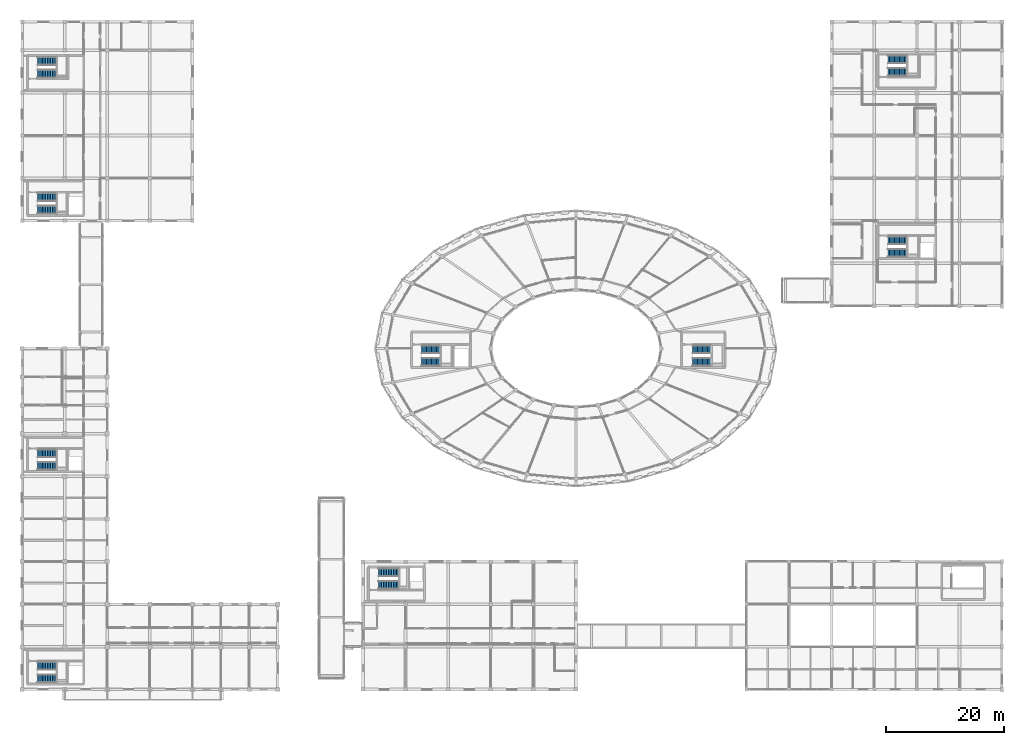
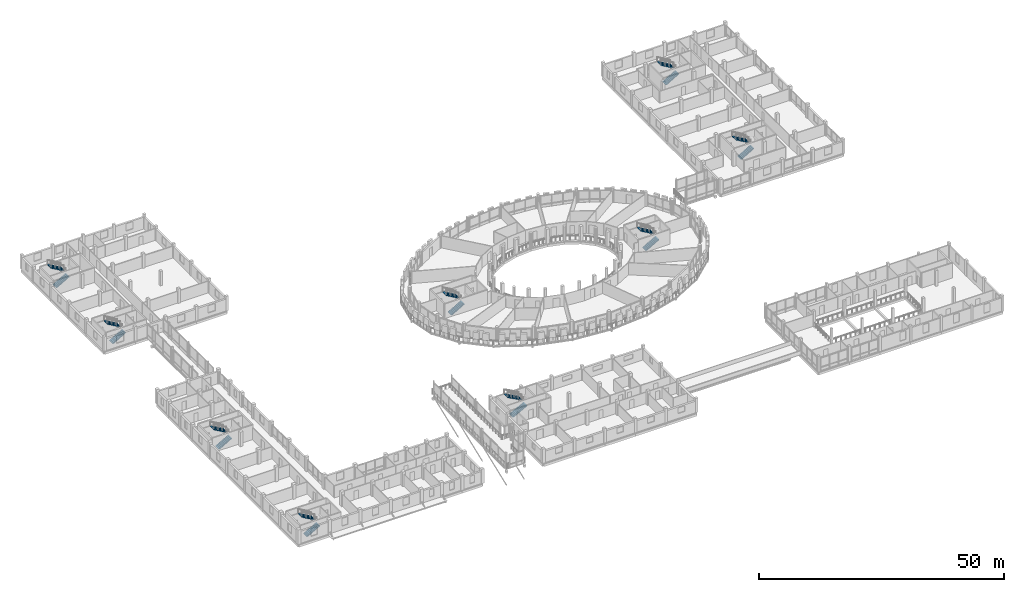
# One storey, part 120 of 128: 18 stair flights, 9 elements without a shape of their own.
"""IFC4 building model written with IfcOpenShell, lengths in metres."""

from ifc_helpers import new_model, si_unit, direction, frame, origin, place, context, subcontext, project, spatial, polyline, outline, extrude, material, type_object, element, aggregate, save


model = new_model("IFC4")

# Units and contexts
model_context = context("Model", 3, precision=1e-05, world=origin(), true_north=direction((0.0, 1.0)))
body_context = subcontext(model_context, "Body", "Model", "MODEL_VIEW")
ifc_project = project(units=[si_unit("LENGTHUNIT", "METRE"), si_unit("AREAUNIT", "SQUARE_METRE"), si_unit("VOLUMEUNIT", "CUBIC_METRE"), si_unit("PLANEANGLEUNIT", "RADIAN"), si_unit("MASSUNIT", "GRAM", prefix="KILO")], contexts=[model_context])

# Site, building, storey
site_placement = place(None, origin())
site = spatial("IfcSite", under=ifc_project, at=site_placement, CompositionType="ELEMENT")
building_placement = place(site_placement, origin())
building = spatial("IfcBuilding", under=site, at=building_placement, Name="Zornivar Specialist Clinic", CompositionType="ELEMENT")
storey_placement = place(building_placement, frame((0.0, 0.0, 4.5)))
storey = spatial("IfcBuildingStorey", under=building, at=storey_placement, Name="L01", CompositionType="ELEMENT", Elevation=4.5)

# Stair, stair flights
ifc_material_1 = material(Name="Concrete C30/37", Category="concrete")
stair_type_1 = type_object("IfcStairType", Name="STR-CORE-IMG-4200", PredefinedType="HALF_TURN_STAIR", material=ifc_material_1)
stair_1_placement = place(storey_placement, origin())
stair_1 = element("IfcStair", 1, at=stair_1_placement, inside=storey, type_object=stair_type_1, Name="stair:C5:L01", PredefinedType="HALF_TURN_STAIR")
ifc_material_2 = material(Name="Concrete C30/37", Category="concrete")
stair_flight_type_1 = type_object("IfcStairFlightType", Name="STR-CORE-IMG-4200-FLT", PredefinedType="STRAIGHT", material=ifc_material_2)
stair_flight_1_placement = place(storey_placement, frame((60.199951171875, 17.6201171875, 0.0), z_axis=(0.0, 0.0, 1.0), x_axis=(1.0, 0.0, 0.0)))
stair_flight_1 = element("IfcStairFlight", 2, at=stair_flight_1_placement, type_object=stair_flight_type_1, Name="stair:C5:L01:f1", NumberOfRisers=13, NumberOfTreads=12, PredefinedType="STRAIGHT", RiserHeight=0.15, TreadLength=0.28, context=body_context, shape_type="SweptSolid", body=[
    extrude(outline(polyline([(0.0, 0.0), (0.0, 0.14990234375), (0.280029296875, 0.14990234375), (0.280029296875, 0.300048828125), (0.56005859375, 0.300048828125), (0.56005859375, 0.449951171875), (0.840087890625, 0.449951171875), (0.840087890625, 0.60009765625), (1.1201171875, 0.60009765625), (1.1201171875, 0.75), (1.39990234375, 0.75), (1.39990234375, 0.89990234375), (1.679931640625, 0.89990234375), (1.679931640625, 1.050048828125), (1.9599609375, 1.050048828125), (1.9599609375, 1.199951171875), (2.239990234375, 1.199951171875), (2.239990234375, 1.35009765625), (2.52001953125, 1.35009765625), (2.52001953125, 1.5), (2.800048828125, 1.5), (2.800048828125, 1.64990234375), (3.080078125, 1.64990234375), (3.080078125, 1.800048828125), (3.360107421875, 1.800048828125), (3.360107421875, 1.949951171875), (3.360107421875, 1.61865234375), (0.338623046875, 0.0), (0.0, 0.0)])), frame((0.0, 0.699951171875, 0.0), z_axis=(0.0, -1.0, 0.0), x_axis=(1.0, 0.0, 0.0)), (0.0, 0.0, 1.0), 1.39990234375),
])
stair_flight_2_placement = place(storey_placement, frame((63.56005859375, 19.780029296875, 1.949951171875), z_axis=(0.0, 0.0, 1.0), x_axis=(-1.0, 0.0, 0.0)))
stair_flight_2 = element("IfcStairFlight", 3, at=stair_flight_2_placement, type_object=stair_flight_type_1, Name="stair:C5:L01:f2", NumberOfRisers=13, NumberOfTreads=12, PredefinedType="STRAIGHT", RiserHeight=0.15, TreadLength=0.28, context=body_context, shape_type="SweptSolid", body=[
    extrude(outline(polyline([(0.0, 0.0), (0.0, 0.14990234375), (0.280029296875, 0.14990234375), (0.280029296875, 0.300048828125), (0.56005859375, 0.300048828125), (0.56005859375, 0.449951171875), (0.840087890625, 0.449951171875), (0.840087890625, 0.60009765625), (1.1201171875, 0.60009765625), (1.1201171875, 0.75), (1.39990234375, 0.75), (1.39990234375, 0.89990234375), (1.679931640625, 0.89990234375), (1.679931640625, 1.050048828125), (1.9599609375, 1.050048828125), (1.9599609375, 1.199951171875), (2.239990234375, 1.199951171875), (2.239990234375, 1.35009765625), (2.52001953125, 1.35009765625), (2.52001953125, 1.5), (2.800048828125, 1.5), (2.800048828125, 1.64990234375), (3.080078125, 1.64990234375), (3.080078125, 1.800048828125), (3.360107421875, 1.800048828125), (3.360107421875, 1.949951171875), (3.360107421875, 1.61865234375), (0.338623046875, 0.0), (0.0, 0.0)])), frame((0.0, 0.699951171875, 0.0), z_axis=(0.0, -1.0, 0.0), x_axis=(1.0, 0.0, 0.0)), (0.0, 0.0, 1.0), 1.39990234375),
])
aggregate(stair_1, [stair_flight_1, stair_flight_2])

ifc_material_3 = material(Name="Concrete C30/37", Category="concrete")
stair_type_2 = type_object("IfcStairType", Name="STR-CORE-TYP-3900", PredefinedType="HALF_TURN_STAIR", material=ifc_material_3)
stair_2_placement = place(storey_placement, origin())
stair_2 = element("IfcStair", 4, at=stair_2_placement, inside=storey, type_object=stair_type_2, Name="stair:C1:L01", PredefinedType="HALF_TURN_STAIR")
ifc_material_4 = material(Name="Concrete C30/37", Category="concrete")
stair_flight_type_2 = type_object("IfcStairFlightType", Name="STR-CORE-TYP-3900-FLT", PredefinedType="STRAIGHT", material=ifc_material_4)
stair_flight_3_placement = place(storey_placement, frame((2.60009765625, 1.820068359375, 0.0), z_axis=(0.0, 0.0, 1.0), x_axis=(1.0, 0.0, 0.0)))
stair_flight_3 = element("IfcStairFlight", 5, at=stair_flight_3_placement, type_object=stair_flight_type_2, Name="stair:C1:L01:f1", NumberOfRisers=12, NumberOfTreads=11, PredefinedType="STRAIGHT", RiserHeight=0.1625, TreadLength=0.28, context=body_context, shape_type="SweptSolid", body=[
    extrude(outline(polyline([(0.0, 0.0), (0.0, 0.16259765625), (0.280029296875, 0.16259765625), (0.280029296875, 0.324951171875), (0.56005859375, 0.324951171875), (0.56005859375, 0.487548828125), (0.840087890625, 0.487548828125), (0.840087890625, 0.64990234375), (1.1201171875, 0.64990234375), (1.1201171875, 0.8125), (1.39990234375, 0.8125), (1.39990234375, 0.97509765625), (1.679931640625, 0.97509765625), (1.679931640625, 1.137451171875), (1.9599609375, 1.137451171875), (1.9599609375, 1.300048828125), (2.239990234375, 1.300048828125), (2.239990234375, 1.46240234375), (2.52001953125, 1.46240234375), (2.52001953125, 1.625), (2.800048828125, 1.625), (2.800048828125, 1.78759765625), (3.080078125, 1.78759765625), (3.080078125, 1.949951171875), (3.080078125, 1.6025390625), (0.318603515625, 0.0), (0.0, 0.0)])), frame((0.0, 0.699951171875, 0.0), z_axis=(0.0, -1.0, 0.0), x_axis=(1.0, 0.0, 0.0)), (0.0, 0.0, 1.0), 1.39990234375),
])
stair_flight_4_placement = place(storey_placement, frame((5.679931640625, 3.97998046875, 1.949951171875), z_axis=(0.0, 0.0, 1.0), x_axis=(-1.0, 0.0, 0.0)))
stair_flight_4 = element("IfcStairFlight", 6, at=stair_flight_4_placement, type_object=stair_flight_type_2, Name="stair:C1:L01:f2", NumberOfRisers=12, NumberOfTreads=11, PredefinedType="STRAIGHT", RiserHeight=0.1625, TreadLength=0.28, context=body_context, shape_type="SweptSolid", body=[
    extrude(outline(polyline([(0.0, 0.0), (0.0, 0.16259765625), (0.280029296875, 0.16259765625), (0.280029296875, 0.324951171875), (0.56005859375, 0.324951171875), (0.56005859375, 0.487548828125), (0.840087890625, 0.487548828125), (0.840087890625, 0.64990234375), (1.1201171875, 0.64990234375), (1.1201171875, 0.8125), (1.39990234375, 0.8125), (1.39990234375, 0.97509765625), (1.679931640625, 0.97509765625), (1.679931640625, 1.137451171875), (1.9599609375, 1.137451171875), (1.9599609375, 1.300048828125), (2.239990234375, 1.300048828125), (2.239990234375, 1.46240234375), (2.52001953125, 1.46240234375), (2.52001953125, 1.625), (2.800048828125, 1.625), (2.800048828125, 1.78759765625), (3.080078125, 1.78759765625), (3.080078125, 1.949951171875), (3.080078125, 1.6025390625), (0.318603515625, 0.0), (0.0, 0.0)])), frame((0.0, 0.699951171875, 0.0), z_axis=(0.0, -1.0, 0.0), x_axis=(1.0, 0.0, 0.0)), (0.0, 0.0, 1.0), 1.39990234375),
])
aggregate(stair_2, [stair_flight_3, stair_flight_4])

stair_3_placement = place(storey_placement, origin())
stair_3 = element("IfcStair", 7, at=stair_3_placement, inside=storey, type_object=stair_type_2, Name="stair:C2:L01", PredefinedType="HALF_TURN_STAIR")
stair_flight_5_placement = place(storey_placement, frame((2.60009765625, 37.719970703125, 0.0), z_axis=(0.0, 0.0, 1.0), x_axis=(1.0, 0.0, 0.0)))
stair_flight_5 = element("IfcStairFlight", 8, at=stair_flight_5_placement, type_object=stair_flight_type_2, Name="stair:C2:L01:f1", NumberOfRisers=12, NumberOfTreads=11, PredefinedType="STRAIGHT", RiserHeight=0.1625, TreadLength=0.28, context=body_context, shape_type="SweptSolid", body=[
    extrude(outline(polyline([(0.0, 0.0), (0.0, 0.16259765625), (0.280029296875, 0.16259765625), (0.280029296875, 0.324951171875), (0.56005859375, 0.324951171875), (0.56005859375, 0.487548828125), (0.840087890625, 0.487548828125), (0.840087890625, 0.64990234375), (1.1201171875, 0.64990234375), (1.1201171875, 0.8125), (1.39990234375, 0.8125), (1.39990234375, 0.97509765625), (1.679931640625, 0.97509765625), (1.679931640625, 1.137451171875), (1.9599609375, 1.137451171875), (1.9599609375, 1.300048828125), (2.239990234375, 1.300048828125), (2.239990234375, 1.46240234375), (2.52001953125, 1.46240234375), (2.52001953125, 1.625), (2.800048828125, 1.625), (2.800048828125, 1.78759765625), (3.080078125, 1.78759765625), (3.080078125, 1.949951171875), (3.080078125, 1.6025390625), (0.318603515625, 0.0), (0.0, 0.0)])), frame((0.0, 0.699951171875, 0.0), z_axis=(0.0, -1.0, 0.0), x_axis=(1.0, 0.0, 0.0)), (0.0, 0.0, 1.0), 1.39990234375),
])
stair_flight_6_placement = place(storey_placement, frame((5.679931640625, 39.8798828125, 1.949951171875), z_axis=(0.0, 0.0, 1.0), x_axis=(-1.0, 0.0, 0.0)))
stair_flight_6 = element("IfcStairFlight", 9, at=stair_flight_6_placement, type_object=stair_flight_type_2, Name="stair:C2:L01:f2", NumberOfRisers=12, NumberOfTreads=11, PredefinedType="STRAIGHT", RiserHeight=0.1625, TreadLength=0.28, context=body_context, shape_type="SweptSolid", body=[
    extrude(outline(polyline([(0.0, 0.0), (0.0, 0.16259765625), (0.280029296875, 0.16259765625), (0.280029296875, 0.324951171875), (0.56005859375, 0.324951171875), (0.56005859375, 0.487548828125), (0.840087890625, 0.487548828125), (0.840087890625, 0.64990234375), (1.1201171875, 0.64990234375), (1.1201171875, 0.8125), (1.39990234375, 0.8125), (1.39990234375, 0.97509765625), (1.679931640625, 0.97509765625), (1.679931640625, 1.137451171875), (1.9599609375, 1.137451171875), (1.9599609375, 1.300048828125), (2.239990234375, 1.300048828125), (2.239990234375, 1.46240234375), (2.52001953125, 1.46240234375), (2.52001953125, 1.625), (2.800048828125, 1.625), (2.800048828125, 1.78759765625), (3.080078125, 1.78759765625), (3.080078125, 1.949951171875), (3.080078125, 1.6025390625), (0.318603515625, 0.0), (0.0, 0.0)])), frame((0.0, 0.699951171875, 0.0), z_axis=(0.0, -1.0, 0.0), x_axis=(1.0, 0.0, 0.0)), (0.0, 0.0, 1.0), 1.39990234375),
])
aggregate(stair_3, [stair_flight_5, stair_flight_6])

stair_4_placement = place(storey_placement, origin())
stair_4 = element("IfcStair", 10, at=stair_4_placement, inside=storey, type_object=stair_type_2, Name="stair:C7:L01", PredefinedType="HALF_TURN_STAIR")
stair_flight_7_placement = place(storey_placement, frame((2.60009765625, 81.02001953125, 0.0), z_axis=(0.0, 0.0, 1.0), x_axis=(1.0, 0.0, 0.0)))
stair_flight_7 = element("IfcStairFlight", 11, at=stair_flight_7_placement, type_object=stair_flight_type_2, Name="stair:C7:L01:f1", NumberOfRisers=12, NumberOfTreads=11, PredefinedType="STRAIGHT", RiserHeight=0.1625, TreadLength=0.28, context=body_context, shape_type="SweptSolid", body=[
    extrude(outline(polyline([(0.0, 0.0), (0.0, 0.16259765625), (0.280029296875, 0.16259765625), (0.280029296875, 0.324951171875), (0.56005859375, 0.324951171875), (0.56005859375, 0.487548828125), (0.840087890625, 0.487548828125), (0.840087890625, 0.64990234375), (1.1201171875, 0.64990234375), (1.1201171875, 0.8125), (1.39990234375, 0.8125), (1.39990234375, 0.97509765625), (1.679931640625, 0.97509765625), (1.679931640625, 1.137451171875), (1.9599609375, 1.137451171875), (1.9599609375, 1.300048828125), (2.239990234375, 1.300048828125), (2.239990234375, 1.46240234375), (2.52001953125, 1.46240234375), (2.52001953125, 1.625), (2.800048828125, 1.625), (2.800048828125, 1.78759765625), (3.080078125, 1.78759765625), (3.080078125, 1.949951171875), (3.080078125, 1.6025390625), (0.318603515625, 0.0), (0.0, 0.0)])), frame((0.0, 0.699951171875, 0.0), z_axis=(0.0, -1.0, 0.0), x_axis=(1.0, 0.0, 0.0)), (0.0, 0.0, 1.0), 1.39990234375),
])
stair_flight_8_placement = place(storey_placement, frame((5.679931640625, 83.179931640625, 1.949951171875), z_axis=(0.0, 0.0, 1.0), x_axis=(-1.0, 0.0, 0.0)))
stair_flight_8 = element("IfcStairFlight", 12, at=stair_flight_8_placement, type_object=stair_flight_type_2, Name="stair:C7:L01:f2", NumberOfRisers=12, NumberOfTreads=11, PredefinedType="STRAIGHT", RiserHeight=0.1625, TreadLength=0.28, context=body_context, shape_type="SweptSolid", body=[
    extrude(outline(polyline([(0.0, 0.0), (0.0, 0.16259765625), (0.280029296875, 0.16259765625), (0.280029296875, 0.324951171875), (0.56005859375, 0.324951171875), (0.56005859375, 0.487548828125), (0.840087890625, 0.487548828125), (0.840087890625, 0.64990234375), (1.1201171875, 0.64990234375), (1.1201171875, 0.8125), (1.39990234375, 0.8125), (1.39990234375, 0.97509765625), (1.679931640625, 0.97509765625), (1.679931640625, 1.137451171875), (1.9599609375, 1.137451171875), (1.9599609375, 1.300048828125), (2.239990234375, 1.300048828125), (2.239990234375, 1.46240234375), (2.52001953125, 1.46240234375), (2.52001953125, 1.625), (2.800048828125, 1.625), (2.800048828125, 1.78759765625), (3.080078125, 1.78759765625), (3.080078125, 1.949951171875), (3.080078125, 1.6025390625), (0.318603515625, 0.0), (0.0, 0.0)])), frame((0.0, 0.699951171875, 0.0), z_axis=(0.0, -1.0, 0.0), x_axis=(1.0, 0.0, 0.0)), (0.0, 0.0, 1.0), 1.39990234375),
])
aggregate(stair_4, [stair_flight_7, stair_flight_8])

stair_5_placement = place(storey_placement, origin())
stair_5 = element("IfcStair", 13, at=stair_5_placement, inside=storey, type_object=stair_type_2, Name="stair:C8:L01", PredefinedType="HALF_TURN_STAIR")
stair_flight_9_placement = place(storey_placement, frame((2.60009765625, 104.02001953125, 0.0), z_axis=(0.0, 0.0, 1.0), x_axis=(1.0, 0.0, 0.0)))
stair_flight_9 = element("IfcStairFlight", 14, at=stair_flight_9_placement, type_object=stair_flight_type_2, Name="stair:C8:L01:f1", NumberOfRisers=12, NumberOfTreads=11, PredefinedType="STRAIGHT", RiserHeight=0.1625, TreadLength=0.28, context=body_context, shape_type="SweptSolid", body=[
    extrude(outline(polyline([(0.0, 0.0), (0.0, 0.16259765625), (0.280029296875, 0.16259765625), (0.280029296875, 0.324951171875), (0.56005859375, 0.324951171875), (0.56005859375, 0.487548828125), (0.840087890625, 0.487548828125), (0.840087890625, 0.64990234375), (1.1201171875, 0.64990234375), (1.1201171875, 0.8125), (1.39990234375, 0.8125), (1.39990234375, 0.97509765625), (1.679931640625, 0.97509765625), (1.679931640625, 1.137451171875), (1.9599609375, 1.137451171875), (1.9599609375, 1.300048828125), (2.239990234375, 1.300048828125), (2.239990234375, 1.46240234375), (2.52001953125, 1.46240234375), (2.52001953125, 1.625), (2.800048828125, 1.625), (2.800048828125, 1.78759765625), (3.080078125, 1.78759765625), (3.080078125, 1.949951171875), (3.080078125, 1.6025390625), (0.318603515625, 0.0), (0.0, 0.0)])), frame((0.0, 0.699951171875, 0.0), z_axis=(0.0, -1.0, 0.0), x_axis=(1.0, 0.0, 0.0)), (0.0, 0.0, 1.0), 1.39990234375),
])
stair_flight_10_placement = place(storey_placement, frame((5.679931640625, 106.179931640625, 1.949951171875), z_axis=(0.0, 0.0, 1.0), x_axis=(-1.0, 0.0, 0.0)))
stair_flight_10 = element("IfcStairFlight", 15, at=stair_flight_10_placement, type_object=stair_flight_type_2, Name="stair:C8:L01:f2", NumberOfRisers=12, NumberOfTreads=11, PredefinedType="STRAIGHT", RiserHeight=0.1625, TreadLength=0.28, context=body_context, shape_type="SweptSolid", body=[
    extrude(outline(polyline([(0.0, 0.0), (0.0, 0.16259765625), (0.280029296875, 0.16259765625), (0.280029296875, 0.324951171875), (0.56005859375, 0.324951171875), (0.56005859375, 0.487548828125), (0.840087890625, 0.487548828125), (0.840087890625, 0.64990234375), (1.1201171875, 0.64990234375), (1.1201171875, 0.8125), (1.39990234375, 0.8125), (1.39990234375, 0.97509765625), (1.679931640625, 0.97509765625), (1.679931640625, 1.137451171875), (1.9599609375, 1.137451171875), (1.9599609375, 1.300048828125), (2.239990234375, 1.300048828125), (2.239990234375, 1.46240234375), (2.52001953125, 1.46240234375), (2.52001953125, 1.625), (2.800048828125, 1.625), (2.800048828125, 1.78759765625), (3.080078125, 1.78759765625), (3.080078125, 1.949951171875), (3.080078125, 1.6025390625), (0.318603515625, 0.0), (0.0, 0.0)])), frame((0.0, 0.699951171875, 0.0), z_axis=(0.0, -1.0, 0.0), x_axis=(1.0, 0.0, 0.0)), (0.0, 0.0, 1.0), 1.39990234375),
])
aggregate(stair_5, [stair_flight_9, stair_flight_10])

stair_6_placement = place(storey_placement, origin())
stair_6 = element("IfcStair", 16, at=stair_6_placement, inside=storey, type_object=stair_type_2, Name="stair:C9:L01", PredefinedType="HALF_TURN_STAIR")
stair_flight_11_placement = place(storey_placement, frame((146.300048828125, 73.719970703125, 0.0), z_axis=(0.0, 0.0, 1.0), x_axis=(1.0, 0.0, 0.0)))
stair_flight_11 = element("IfcStairFlight", 17, at=stair_flight_11_placement, type_object=stair_flight_type_2, Name="stair:C9:L01:f1", NumberOfRisers=12, NumberOfTreads=11, PredefinedType="STRAIGHT", RiserHeight=0.1625, TreadLength=0.28, context=body_context, shape_type="SweptSolid", body=[
    extrude(outline(polyline([(0.0, 0.0), (0.0, 0.16259765625), (0.280029296875, 0.16259765625), (0.280029296875, 0.324951171875), (0.56005859375, 0.324951171875), (0.56005859375, 0.487548828125), (0.840087890625, 0.487548828125), (0.840087890625, 0.64990234375), (1.1201171875, 0.64990234375), (1.1201171875, 0.8125), (1.39990234375, 0.8125), (1.39990234375, 0.97509765625), (1.679931640625, 0.97509765625), (1.679931640625, 1.137451171875), (1.9599609375, 1.137451171875), (1.9599609375, 1.300048828125), (2.239990234375, 1.300048828125), (2.239990234375, 1.46240234375), (2.52001953125, 1.46240234375), (2.52001953125, 1.625), (2.800048828125, 1.625), (2.800048828125, 1.78759765625), (3.080078125, 1.78759765625), (3.080078125, 1.949951171875), (3.080078125, 1.6025390625), (0.318603515625, 0.0), (0.0, 0.0)])), frame((0.0, 0.699951171875, 0.0), z_axis=(0.0, -1.0, 0.0), x_axis=(1.0, 0.0, 0.0)), (0.0, 0.0, 1.0), 1.39990234375),
])
stair_flight_12_placement = place(storey_placement, frame((149.3798828125, 75.8798828125, 1.949951171875), z_axis=(0.0, 0.0, 1.0), x_axis=(-1.0, 0.0, 0.0)))
stair_flight_12 = element("IfcStairFlight", 18, at=stair_flight_12_placement, type_object=stair_flight_type_2, Name="stair:C9:L01:f2", NumberOfRisers=12, NumberOfTreads=11, PredefinedType="STRAIGHT", RiserHeight=0.1625, TreadLength=0.28, context=body_context, shape_type="SweptSolid", body=[
    extrude(outline(polyline([(0.0, 0.0), (0.0, 0.16259765625), (0.280029296875, 0.16259765625), (0.280029296875, 0.324951171875), (0.56005859375, 0.324951171875), (0.56005859375, 0.487548828125), (0.840087890625, 0.487548828125), (0.840087890625, 0.64990234375), (1.1201171875, 0.64990234375), (1.1201171875, 0.8125), (1.39990234375, 0.8125), (1.39990234375, 0.97509765625), (1.679931640625, 0.97509765625), (1.679931640625, 1.137451171875), (1.9599609375, 1.137451171875), (1.9599609375, 1.300048828125), (2.239990234375, 1.300048828125), (2.239990234375, 1.46240234375), (2.52001953125, 1.46240234375), (2.52001953125, 1.625), (2.800048828125, 1.625), (2.800048828125, 1.78759765625), (3.080078125, 1.78759765625), (3.080078125, 1.949951171875), (3.080078125, 1.6025390625), (0.318603515625, 0.0), (0.0, 0.0)])), frame((0.0, 0.699951171875, 0.0), z_axis=(0.0, -1.0, 0.0), x_axis=(1.0, 0.0, 0.0)), (0.0, 0.0, 1.0), 1.39990234375),
])
aggregate(stair_6, [stair_flight_11, stair_flight_12])

stair_7_placement = place(storey_placement, origin())
stair_7 = element("IfcStair", 19, at=stair_7_placement, inside=storey, type_object=stair_type_2, Name="stair:C10:L01", PredefinedType="HALF_TURN_STAIR")
stair_flight_13_placement = place(storey_placement, frame((146.300048828125, 104.320068359375, 0.0), z_axis=(0.0, 0.0, 1.0), x_axis=(1.0, 0.0, 0.0)))
stair_flight_13 = element("IfcStairFlight", 20, at=stair_flight_13_placement, type_object=stair_flight_type_2, Name="stair:C10:L01:f1", NumberOfRisers=12, NumberOfTreads=11, PredefinedType="STRAIGHT", RiserHeight=0.1625, TreadLength=0.28, context=body_context, shape_type="SweptSolid", body=[
    extrude(outline(polyline([(0.0, 0.0), (0.0, 0.16259765625), (0.280029296875, 0.16259765625), (0.280029296875, 0.324951171875), (0.56005859375, 0.324951171875), (0.56005859375, 0.487548828125), (0.840087890625, 0.487548828125), (0.840087890625, 0.64990234375), (1.1201171875, 0.64990234375), (1.1201171875, 0.8125), (1.39990234375, 0.8125), (1.39990234375, 0.97509765625), (1.679931640625, 0.97509765625), (1.679931640625, 1.137451171875), (1.9599609375, 1.137451171875), (1.9599609375, 1.300048828125), (2.239990234375, 1.300048828125), (2.239990234375, 1.46240234375), (2.52001953125, 1.46240234375), (2.52001953125, 1.625), (2.800048828125, 1.625), (2.800048828125, 1.78759765625), (3.080078125, 1.78759765625), (3.080078125, 1.949951171875), (3.080078125, 1.6025390625), (0.318603515625, 0.0), (0.0, 0.0)])), frame((0.0, 0.699951171875, 0.0), z_axis=(0.0, -1.0, 0.0), x_axis=(1.0, 0.0, 0.0)), (0.0, 0.0, 1.0), 1.39990234375),
])
stair_flight_14_placement = place(storey_placement, frame((149.3798828125, 106.47998046875, 1.949951171875), z_axis=(0.0, 0.0, 1.0), x_axis=(-1.0, 0.0, 0.0)))
stair_flight_14 = element("IfcStairFlight", 21, at=stair_flight_14_placement, type_object=stair_flight_type_2, Name="stair:C10:L01:f2", NumberOfRisers=12, NumberOfTreads=11, PredefinedType="STRAIGHT", RiserHeight=0.1625, TreadLength=0.28, context=body_context, shape_type="SweptSolid", body=[
    extrude(outline(polyline([(0.0, 0.0), (0.0, 0.16259765625), (0.280029296875, 0.16259765625), (0.280029296875, 0.324951171875), (0.56005859375, 0.324951171875), (0.56005859375, 0.487548828125), (0.840087890625, 0.487548828125), (0.840087890625, 0.64990234375), (1.1201171875, 0.64990234375), (1.1201171875, 0.8125), (1.39990234375, 0.8125), (1.39990234375, 0.97509765625), (1.679931640625, 0.97509765625), (1.679931640625, 1.137451171875), (1.9599609375, 1.137451171875), (1.9599609375, 1.300048828125), (2.239990234375, 1.300048828125), (2.239990234375, 1.46240234375), (2.52001953125, 1.46240234375), (2.52001953125, 1.625), (2.800048828125, 1.625), (2.800048828125, 1.78759765625), (3.080078125, 1.78759765625), (3.080078125, 1.949951171875), (3.080078125, 1.6025390625), (0.318603515625, 0.0), (0.0, 0.0)])), frame((0.0, 0.699951171875, 0.0), z_axis=(0.0, -1.0, 0.0), x_axis=(1.0, 0.0, 0.0)), (0.0, 0.0, 1.0), 1.39990234375),
])
aggregate(stair_7, [stair_flight_13, stair_flight_14])

ifc_material_5 = material(Name="Concrete C30/37", Category="concrete")
stair_type_3 = type_object("IfcStairType", Name="STR-CORE-V1-3700", PredefinedType="HALF_TURN_STAIR", material=ifc_material_5)
stair_8_placement = place(storey_placement, origin())
stair_8 = element("IfcStair", 22, at=stair_8_placement, inside=storey, type_object=stair_type_3, Name="stair:C3:L01", PredefinedType="HALF_TURN_STAIR")
ifc_material_6 = material(Name="Concrete C30/37", Category="concrete")
stair_flight_type_3 = type_object("IfcStairFlightType", Name="STR-CORE-V1-3700-FLT", PredefinedType="STRAIGHT", material=ifc_material_6)
stair_flight_15_placement = place(storey_placement, frame((67.5, 55.320068359375, 0.0), z_axis=(0.0, 0.0, 1.0), x_axis=(1.0, 0.0, 0.0)))
stair_flight_15 = element("IfcStairFlight", 23, at=stair_flight_15_placement, type_object=stair_flight_type_3, Name="stair:C3:L01:f1", NumberOfRisers=12, NumberOfTreads=11, PredefinedType="STRAIGHT", RiserHeight=0.1625, TreadLength=0.28, context=body_context, shape_type="SweptSolid", body=[
    extrude(outline(polyline([(0.0, 0.0), (0.0, 0.16259765625), (0.280029296875, 0.16259765625), (0.280029296875, 0.324951171875), (0.56005859375, 0.324951171875), (0.56005859375, 0.487548828125), (0.840087890625, 0.487548828125), (0.840087890625, 0.64990234375), (1.1201171875, 0.64990234375), (1.1201171875, 0.8125), (1.39990234375, 0.8125), (1.39990234375, 0.97509765625), (1.679931640625, 0.97509765625), (1.679931640625, 1.137451171875), (1.9599609375, 1.137451171875), (1.9599609375, 1.300048828125), (2.239990234375, 1.300048828125), (2.239990234375, 1.46240234375), (2.52001953125, 1.46240234375), (2.52001953125, 1.625), (2.800048828125, 1.625), (2.800048828125, 1.78759765625), (3.080078125, 1.78759765625), (3.080078125, 1.949951171875), (3.080078125, 1.6025390625), (0.318603515625, 0.0), (0.0, 0.0)])), frame((0.0, 0.699951171875, 0.0), z_axis=(0.0, -1.0, 0.0), x_axis=(1.0, 0.0, 0.0)), (0.0, 0.0, 1.0), 1.39990234375),
])
stair_flight_16_placement = place(storey_placement, frame((70.580078125, 57.47998046875, 1.949951171875), z_axis=(0.0, 0.0, 1.0), x_axis=(-1.0, 0.0, 0.0)))
stair_flight_16 = element("IfcStairFlight", 24, at=stair_flight_16_placement, type_object=stair_flight_type_3, Name="stair:C3:L01:f2", NumberOfRisers=12, NumberOfTreads=11, PredefinedType="STRAIGHT", RiserHeight=0.1625, TreadLength=0.28, context=body_context, shape_type="SweptSolid", body=[
    extrude(outline(polyline([(0.0, 0.0), (0.0, 0.16259765625), (0.280029296875, 0.16259765625), (0.280029296875, 0.324951171875), (0.56005859375, 0.324951171875), (0.56005859375, 0.487548828125), (0.840087890625, 0.487548828125), (0.840087890625, 0.64990234375), (1.1201171875, 0.64990234375), (1.1201171875, 0.8125), (1.39990234375, 0.8125), (1.39990234375, 0.97509765625), (1.679931640625, 0.97509765625), (1.679931640625, 1.137451171875), (1.9599609375, 1.137451171875), (1.9599609375, 1.300048828125), (2.239990234375, 1.300048828125), (2.239990234375, 1.46240234375), (2.52001953125, 1.46240234375), (2.52001953125, 1.625), (2.800048828125, 1.625), (2.800048828125, 1.78759765625), (3.080078125, 1.78759765625), (3.080078125, 1.949951171875), (3.080078125, 1.6025390625), (0.318603515625, 0.0), (0.0, 0.0)])), frame((0.0, 0.699951171875, 0.0), z_axis=(0.0, -1.0, 0.0), x_axis=(1.0, 0.0, 0.0)), (0.0, 0.0, 1.0), 1.39990234375),
])
aggregate(stair_8, [stair_flight_15, stair_flight_16])

stair_9_placement = place(storey_placement, origin())
stair_9 = element("IfcStair", 25, at=stair_9_placement, inside=storey, type_object=stair_type_3, Name="stair:C4:L01", PredefinedType="HALF_TURN_STAIR")
stair_flight_17_placement = place(storey_placement, frame((113.300048828125, 55.320068359375, 0.0), z_axis=(0.0, 0.0, 1.0), x_axis=(1.0, 0.0, 0.0)))
stair_flight_17 = element("IfcStairFlight", 26, at=stair_flight_17_placement, type_object=stair_flight_type_3, Name="stair:C4:L01:f1", NumberOfRisers=12, NumberOfTreads=11, PredefinedType="STRAIGHT", RiserHeight=0.1625, TreadLength=0.28, context=body_context, shape_type="SweptSolid", body=[
    extrude(outline(polyline([(0.0, 0.0), (0.0, 0.16259765625), (0.280029296875, 0.16259765625), (0.280029296875, 0.324951171875), (0.56005859375, 0.324951171875), (0.56005859375, 0.487548828125), (0.840087890625, 0.487548828125), (0.840087890625, 0.64990234375), (1.1201171875, 0.64990234375), (1.1201171875, 0.8125), (1.39990234375, 0.8125), (1.39990234375, 0.97509765625), (1.679931640625, 0.97509765625), (1.679931640625, 1.137451171875), (1.9599609375, 1.137451171875), (1.9599609375, 1.300048828125), (2.239990234375, 1.300048828125), (2.239990234375, 1.46240234375), (2.52001953125, 1.46240234375), (2.52001953125, 1.625), (2.800048828125, 1.625), (2.800048828125, 1.78759765625), (3.080078125, 1.78759765625), (3.080078125, 1.949951171875), (3.080078125, 1.6025390625), (0.318603515625, 0.0), (0.0, 0.0)])), frame((0.0, 0.699951171875, 0.0), z_axis=(0.0, -1.0, 0.0), x_axis=(1.0, 0.0, 0.0)), (0.0, 0.0, 1.0), 1.39990234375),
])
stair_flight_18_placement = place(storey_placement, frame((116.3798828125, 57.47998046875, 1.949951171875), z_axis=(0.0, 0.0, 1.0), x_axis=(-1.0, 0.0, 0.0)))
stair_flight_18 = element("IfcStairFlight", 27, at=stair_flight_18_placement, type_object=stair_flight_type_3, Name="stair:C4:L01:f2", NumberOfRisers=12, NumberOfTreads=11, PredefinedType="STRAIGHT", RiserHeight=0.1625, TreadLength=0.28, context=body_context, shape_type="SweptSolid", body=[
    extrude(outline(polyline([(0.0, 0.0), (0.0, 0.16259765625), (0.280029296875, 0.16259765625), (0.280029296875, 0.324951171875), (0.56005859375, 0.324951171875), (0.56005859375, 0.487548828125), (0.840087890625, 0.487548828125), (0.840087890625, 0.64990234375), (1.1201171875, 0.64990234375), (1.1201171875, 0.8125), (1.39990234375, 0.8125), (1.39990234375, 0.97509765625), (1.679931640625, 0.97509765625), (1.679931640625, 1.137451171875), (1.9599609375, 1.137451171875), (1.9599609375, 1.300048828125), (2.239990234375, 1.300048828125), (2.239990234375, 1.46240234375), (2.52001953125, 1.46240234375), (2.52001953125, 1.625), (2.800048828125, 1.625), (2.800048828125, 1.78759765625), (3.080078125, 1.78759765625), (3.080078125, 1.949951171875), (3.080078125, 1.6025390625), (0.318603515625, 0.0), (0.0, 0.0)])), frame((0.0, 0.699951171875, 0.0), z_axis=(0.0, -1.0, 0.0), x_axis=(1.0, 0.0, 0.0)), (0.0, 0.0, 1.0), 1.39990234375),
])
aggregate(stair_9, [stair_flight_17, stair_flight_18])

save(model, "model.ifc")
